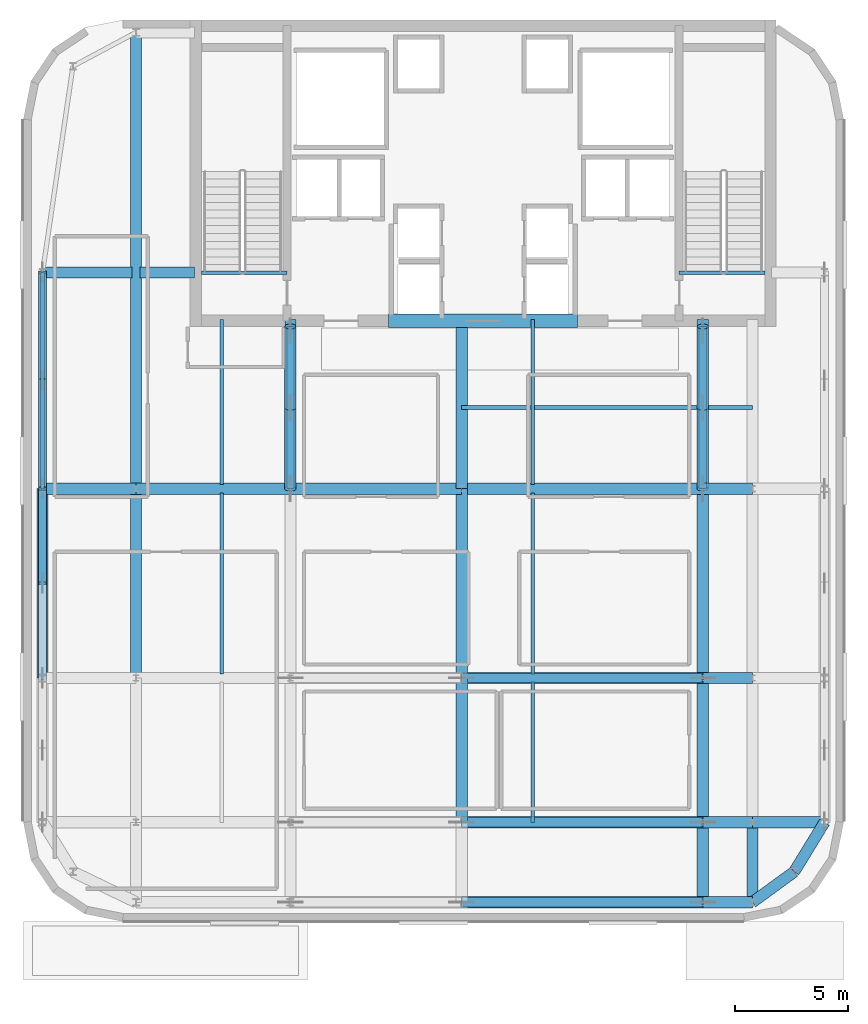
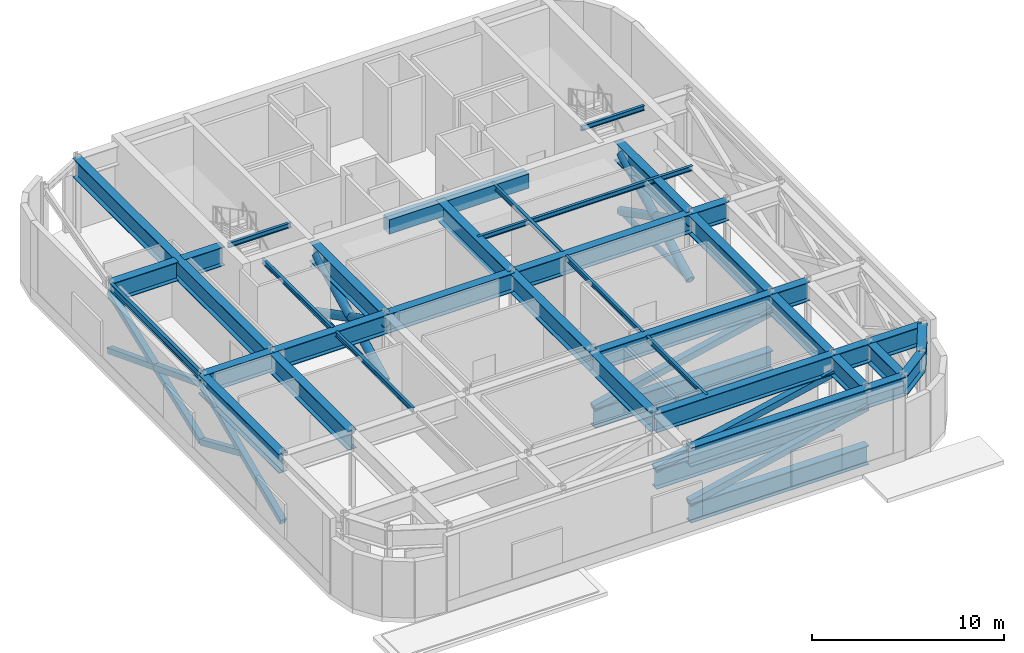
# One storey, part 5 of 13: 39 beams, 16 members.
"""IFC4 building model written with IfcOpenShell, lengths in metres."""

from ifc_helpers import new_model, si_unit, direction, frame, origin, origin_2d, place, context, subcontext, project, spatial, rectangle, hollow_rectangle, hollow_circle, i_section, extrude, source, transform, mapped, material, material_profile, profile_set, type_object, type_shapes, element, save


model = new_model("IFC4")

# Units and contexts
model_context = context("Model", 3, precision=1e-05, world=origin(), true_north=direction((0.0, 1.0)))
body_context = subcontext(model_context, "Body", "Model", "MODEL_VIEW")
ifc_project = project(units=[si_unit("LENGTHUNIT", "METRE"), si_unit("AREAUNIT", "SQUARE_METRE"), si_unit("VOLUMEUNIT", "CUBIC_METRE"), si_unit("PLANEANGLEUNIT", "RADIAN"), si_unit("MASSUNIT", "GRAM", prefix="KILO")], contexts=[model_context])

# Site, building, storey
site_placement = place(None, origin())
site = spatial("IfcSite", under=ifc_project, at=site_placement, CompositionType="ELEMENT")
building_placement = place(site_placement, origin())
building = spatial("IfcBuilding", under=site, at=building_placement, Name="Tolvann Quenvar Hotel", CompositionType="ELEMENT")
storey_placement = place(building_placement, frame((0.0, 0.0, 270.050048828125)))
storey = spatial("IfcBuildingStorey", under=building, at=storey_placement, Name="L72", CompositionType="ELEMENT", Elevation=270.050048828125)

# Beams
ifc_material_1 = material(Name="Concrete N50 (50 MPa)", Category="concrete")
ifc_material_profile_1 = material_profile(ifc_material_1, rectangle(XDim=0.60009765625, YDim=0.89990234375, at=origin_2d()), Name="RC600x900")
ifc_profile_set_1 = profile_set([ifc_material_profile_1], Name="Concrete N50 (50 MPa)")
beam_type_1 = type_object("IfcBeamType", Name="BM_LINT_RC600x900", PredefinedType="LINTEL", material=ifc_profile_set_1)
shared_shape_1 = source(origin(), body_context, "Body", "SweptSolid", [
    extrude(rectangle(XDim=0.60009765625, YDim=0.89990234375, at=origin_2d()), origin(), (0.0, 0.0, 1.0), 8.39990234375),
])
type_shapes(beam_type_1, [shared_shape_1])
beam_1_placement = place(storey_placement, frame((18.800048828125, 31.85009765625, 4.329833984375), z_axis=(1.0, 0.0, 0.0), x_axis=(0.0, 1.0, 0.0)))
element("IfcBeam", 1, at=beam_1_placement, inside=storey, type_object=beam_type_1, Name="Core Coupling Lintel Beam (L72)", PredefinedType="LINTEL", context=body_context, shape_type="MappedRepresentation", body=[
    mapped(shared_shape_1, transform((0.0, 0.0, 0.0), x_axis=(1.0, 0.0, 0.0), y_axis=(0.0, 1.0, 0.0), z_axis=(0.0, 0.0, 1.0), scale=1.0)),
])
ifc_material_2 = material(Name="Steel Grade 350", Category="steel")
ifc_material_profile_2 = material_profile(ifc_material_2, i_section(OverallWidth=0.5, OverallDepth=1.199951171875, WebThickness=0.01611328125, FlangeThickness=0.0400390625, at=origin_2d()), Name="1200WB455")
ifc_profile_set_2 = profile_set([ifc_material_profile_2], Name="Steel Grade 350")
beam_type_2 = type_object("IfcBeamType", Name="BM_TG_1200WB455", PredefinedType="USERDEFINED", material=ifc_profile_set_2)
shared_shape_2 = source(origin(), body_context, "Body", "SweptSolid", [
    extrude(i_section(OverallWidth=0.5, OverallDepth=1.199951171875, WebThickness=0.01611328125, FlangeThickness=0.0400390625, at=origin_2d()), origin(), (0.0, 0.0, 1.0), 7.5),
])
for number, where, z_axis, x_axis, name in (
    (2, (14.449951171875, 24.39990234375, 4.179931640625), (0.0, 1.0, 0.0), (-1.0, 0.0, 0.0), "BM-L72-CORE-D5"),
    (3, (22.050048828125, 24.39990234375, 4.179931640625), (0.0, 1.0, 0.0), (-1.0, 0.0, 0.0), "BM-L72-CORE-E5"),
    (4, (32.75, 24.39990234375, 4.179931640625), (0.0, 1.0, 0.0), (-1.0, 0.0, 0.0), "BM-L72-CORE-FP5"),
):
    element("IfcBeam", number, at=place(storey_placement, frame(where, z_axis=z_axis, x_axis=x_axis)), inside=storey, type_object=beam_type_2, Name=name, ObjectType="TRANSFER GIRDER", PredefinedType="USERDEFINED", context=body_context, shape_type="MappedRepresentation", body=[
        mapped(shared_shape_2, transform((0.0, 0.0, 0.0), x_axis=(1.0, 0.0, 0.0), y_axis=(0.0, 1.0, 0.0), z_axis=(0.0, 0.0, 1.0), scale=1.0)),
    ])
shared_shape_3 = source(origin(), body_context, "Body", "SweptSolid", [
    extrude(i_section(OverallWidth=0.5, OverallDepth=1.199951171875, WebThickness=0.01611328125, FlangeThickness=0.0400390625, at=origin_2d()), origin(), (0.0, 0.0, 1.0), 3.550048828125),
])
beam_2_placement = place(storey_placement, frame((34.949951171875, 6.050048828125, 4.179931640625), z_axis=(0.0, 1.0, 0.0), x_axis=(-1.0, 0.0, 0.0)))
element("IfcBeam", 5, at=beam_2_placement, inside=storey, type_object=beam_type_2, Name="BM-L72-NS-F2-F3", ObjectType="TRANSFER GIRDER", PredefinedType="USERDEFINED", context=body_context, shape_type="MappedRepresentation", body=[
    mapped(shared_shape_3, transform((0.0, 0.0, 0.0), x_axis=(1.0, 0.0, 0.0), y_axis=(0.0, 1.0, 0.0), z_axis=(0.0, 0.0, 1.0), scale=1.0)),
])
shared_shape_4 = source(origin(), body_context, "Body", "SweptSolid", [
    extrude(i_section(OverallWidth=0.5, OverallDepth=1.199951171875, WebThickness=0.01611328125, FlangeThickness=0.0400390625, at=origin_2d()), origin(), (0.0, 0.0, 1.0), 2.199951171875),
])
for number, where, z_axis, x_axis, name in (
    (6, (32.75, 6.050048828125, 4.179931640625), (1.0, 0.0, 0.0), (0.0, 1.0, 0.0), "BM-L72-EW-2-FP2-F2"),
    (7, (32.75, 9.60009765625, 4.179931640625), (1.0, 0.0, 0.0), (0.0, 1.0, 0.0), "BM-L72-EW-3-FP3-F3"),
    (8, (32.75, 16.0, 4.179931640625), (1.0, 0.0, 0.0), (0.0, 1.0, 0.0), "BM-L72-EW-4-FP4-F4"),
    (9, (32.75, 24.39990234375, 4.179931640625), (1.0, 0.0, 0.0), (0.0, 1.0, 0.0), "BM-L72-EW-5-FP5-F5"),
):
    element("IfcBeam", number, at=place(storey_placement, frame(where, z_axis=z_axis, x_axis=x_axis)), inside=storey, type_object=beam_type_2, Name=name, ObjectType="TRANSFER GIRDER", PredefinedType="USERDEFINED", context=body_context, shape_type="MappedRepresentation", body=[
        mapped(shared_shape_4, transform((0.0, 0.0, 0.0), x_axis=(1.0, 0.0, 0.0), y_axis=(0.0, 1.0, 0.0), z_axis=(0.0, 0.0, 1.0), scale=1.0)),
    ])
shared_shape_5 = source(origin(), body_context, "Body", "SweptSolid", [
    extrude(i_section(OverallWidth=0.5, OverallDepth=1.199951171875, WebThickness=0.01611328125, FlangeThickness=0.0400390625, at=origin_2d()), origin(), (0.0, 0.0, 1.0), 2.419921875),
])
beam_3_placement = place(storey_placement, frame((7.780029296875, 34.0, 4.179931640625), z_axis=(1.0, 0.0, 0.0), x_axis=(0.0, 1.0, 0.0)))
element("IfcBeam", 10, at=beam_3_placement, inside=storey, type_object=beam_type_2, Name="BM-L72-CTW-MID2", ObjectType="TRANSFER GIRDER", PredefinedType="USERDEFINED", context=body_context, shape_type="MappedRepresentation", body=[
    mapped(shared_shape_5, transform((0.0, 0.0, 0.0), x_axis=(1.0, 0.0, 0.0), y_axis=(0.0, 1.0, 0.0), z_axis=(0.0, 0.0, 1.0), scale=1.0)),
])
ifc_material_profile_3 = material_profile(ifc_material_2, i_section(OverallWidth=0.166015625, OverallDepth=0.306884765625, WebThickness=0.006591796875, FlangeThickness=0.01171875, FilletRadius=0.011474609375, at=origin_2d()), Name="310UB46")
ifc_profile_set_3 = profile_set([ifc_material_profile_3], Name="Steel Grade 350")
beam_type_3 = type_object("IfcBeamType", Name="BM_JOIST_310UB46", PredefinedType="JOIST", material=ifc_profile_set_3)
shared_shape_6 = source(origin(), body_context, "Body", "SweptSolid", [
    extrude(i_section(OverallWidth=0.166015625, OverallDepth=0.306884765625, WebThickness=0.006591796875, FlangeThickness=0.01171875, FilletRadius=0.011474609375, at=origin_2d()), origin(), (0.0, 0.0, 1.0), 3.800048828125),
])
for number, where, z_axis, x_axis, name in (
    (11, (10.5, 33.97998046875, 4.62646484375), (1.0, 0.0, 0.0), (0.0, 1.0, 0.0), "BM-HDR-STC1-L73"),
    (12, (31.699951171875, 33.97998046875, 4.62646484375), (1.0, 0.0, 0.0), (0.0, 1.0, 0.0), "BM-HDR-STC2-L73"),
):
    element("IfcBeam", number, at=place(storey_placement, frame(where, z_axis=z_axis, x_axis=x_axis)), inside=storey, type_object=beam_type_3, Name=name, PredefinedType="JOIST", context=body_context, shape_type="MappedRepresentation", body=[
        mapped(shared_shape_6, transform((0.0, 0.0, 0.0), x_axis=(1.0, 0.0, 0.0), y_axis=(0.0, 1.0, 0.0), z_axis=(0.0, 0.0, 1.0), scale=1.0)),
    ])
shared_shape_7 = source(origin(), body_context, "Body", "SweptSolid", [
    extrude(i_section(OverallWidth=0.5, OverallDepth=1.199951171875, WebThickness=0.01611328125, FlangeThickness=0.0400390625, at=origin_2d()), origin(), (0.0, 0.0, 1.0), 4.150146484375),
])
beam_4_placement = place(storey_placement, frame((3.449951171875, 24.39990234375, 4.179931640625), z_axis=(1.0, 0.0, 0.0), x_axis=(0.0, 1.0, 0.0)))
element("IfcBeam", 13, at=beam_4_placement, inside=storey, type_object=beam_type_2, Name="BM-L72-EW-5-B5-C5", ObjectType="TRANSFER GIRDER", PredefinedType="USERDEFINED", context=body_context, shape_type="MappedRepresentation", body=[
    mapped(shared_shape_7, transform((0.0, 0.0, 0.0), x_axis=(1.0, 0.0, 0.0), y_axis=(0.0, 1.0, 0.0), z_axis=(0.0, 0.0, 1.0), scale=1.0)),
])
shared_shape_8 = source(origin(), body_context, "Body", "SweptSolid", [
    extrude(i_section(OverallWidth=0.5, OverallDepth=1.199951171875, WebThickness=0.01611328125, FlangeThickness=0.0400390625, at=origin_2d()), origin(), (0.0, 0.0, 1.0), 8.39990234375),
])
for number, where, z_axis, x_axis, name in (
    (14, (3.449951171875, 16.0, 4.179931640625), (0.0, 1.0, 0.0), (-1.0, 0.0, 0.0), "BM-L72-NS-B4-B5"),
    (15, (7.60009765625, 16.0, 4.179931640625), (0.0, 1.0, 0.0), (-1.0, 0.0, 0.0), "BM-L72-NS-C4-C5"),
    (16, (22.050048828125, 16.0, 4.179931640625), (0.0, 1.0, 0.0), (-1.0, 0.0, 0.0), "BM-L72-NS-E4-E5"),
):
    element("IfcBeam", number, at=place(storey_placement, frame(where, z_axis=z_axis, x_axis=x_axis)), inside=storey, type_object=beam_type_2, Name=name, ObjectType="TRANSFER GIRDER", PredefinedType="USERDEFINED", context=body_context, shape_type="MappedRepresentation", body=[
        mapped(shared_shape_8, transform((0.0, 0.0, 0.0), x_axis=(1.0, 0.0, 0.0), y_axis=(0.0, 1.0, 0.0), z_axis=(0.0, 0.0, 1.0), scale=1.0)),
    ])
shared_shape_9 = source(origin(), body_context, "Body", "SweptSolid", [
    extrude(i_section(OverallWidth=0.5, OverallDepth=1.199951171875, WebThickness=0.01611328125, FlangeThickness=0.0400390625, at=origin_2d()), origin(), (0.0, 0.0, 1.0), 3.969970703125),
])
beam_5_placement = place(storey_placement, frame((3.449951171875, 34.0, 4.179931640625), z_axis=(1.0, 0.0, 0.0), x_axis=(0.0, 1.0, 0.0)))
element("IfcBeam", 17, at=beam_5_placement, inside=storey, type_object=beam_type_2, Name="BM-L72-CTW-MID1", ObjectType="TRANSFER GIRDER", PredefinedType="USERDEFINED", context=body_context, shape_type="MappedRepresentation", body=[
    mapped(shared_shape_9, transform((0.0, 0.0, 0.0), x_axis=(1.0, 0.0, 0.0), y_axis=(0.0, 1.0, 0.0), z_axis=(0.0, 0.0, 1.0), scale=1.0)),
])

# Members
ifc_material_3 = material(Name="Steel Grade 450 (C450L0)", Category="steel")
ifc_material_profile_4 = material_profile(ifc_material_3, hollow_circle(Radius=0.161865234375, WallThickness=0.010009765625, at=origin_2d()), Name="323.9x10CHS")
ifc_profile_set_4 = profile_set([ifc_material_profile_4], Name="Steel Grade 450 (C450L0)")
member_type_1 = type_object("IfcMemberType", Name="MEM_CHORD_324CHS", PredefinedType="CHORD", material=ifc_profile_set_4)
shared_shape_10 = source(origin(), body_context, "Body", "SweptSolid", [
    extrude(hollow_circle(Radius=0.161865234375, WallThickness=0.010009765625, at=origin_2d()), origin(), (0.0, 0.0, 1.0), 7.2001953125),
])
type_shapes(member_type_1, [shared_shape_10])
for number, where, z_axis, x_axis, name in (
    (18, (14.449951171875, 24.39990234375, 0.449951171875), (0.0, 1.0, 0.0), (-1.0, 0.0, 0.0), "Outrigger Bottom Chord L72-1"),
    (19, (32.75, 24.39990234375, 0.449951171875), (0.0, 1.0, 0.0), (-1.0, 0.0, 0.0), "Outrigger Bottom Chord L72-2"),
):
    element("IfcMember", number, at=place(storey_placement, frame(where, z_axis=z_axis, x_axis=x_axis)), inside=storey, type_object=member_type_1, Name=name, PredefinedType="CHORD", context=body_context, shape_type="MappedRepresentation", body=[
        mapped(shared_shape_10, transform((0.0, 0.0, 0.0), x_axis=(1.0, 0.0, 0.0), y_axis=(0.0, 1.0, 0.0), z_axis=(0.0, 0.0, 1.0), scale=1.0)),
    ])

# Beams
ifc_material_profile_5 = material_profile(ifc_material_2, i_section(OverallWidth=0.19091796875, OverallDepth=0.4599609375, WebThickness=0.010009765625, FlangeThickness=0.01611328125, FilletRadius=0.011474609375, at=origin_2d()), Name="460UB82")
ifc_profile_set_5 = profile_set([ifc_material_profile_5], Name="Steel Grade 350")
beam_type_4 = type_object("IfcBeamType", Name="BM_SPAND_460UB82", PredefinedType="SPANDREL", material=ifc_profile_set_5)
shared_shape_11 = source(origin(), body_context, "Body", "SweptSolid", [
    extrude(i_section(OverallWidth=0.19091796875, OverallDepth=0.4599609375, WebThickness=0.010009765625, FlangeThickness=0.01611328125, FilletRadius=0.011474609375, at=origin_2d()), origin(), (0.0, 0.0, 1.0), 9.60009765625),
])
type_shapes(beam_type_4, [shared_shape_11])
beam_6_placement = place(storey_placement, frame((3.449951171875, 24.39990234375, 4.550048828125), z_axis=(0.0, 1.0, 0.0), x_axis=(-1.0, 0.0, 0.0)))
element("IfcBeam", 20, at=beam_6_placement, inside=storey, type_object=beam_type_4, Name="BM-L72-FLK-W1", PredefinedType="SPANDREL", context=body_context, shape_type="MappedRepresentation", body=[
    mapped(shared_shape_11, transform((0.0, 0.0, 0.0), x_axis=(1.0, 0.0, 0.0), y_axis=(0.0, 1.0, 0.0), z_axis=(0.0, 0.0, 1.0), scale=1.0)),
])
shared_shape_12 = source(origin(), body_context, "Body", "SweptSolid", [
    extrude(i_section(OverallWidth=0.5, OverallDepth=1.199951171875, WebThickness=0.01611328125, FlangeThickness=0.0400390625, at=origin_2d()), origin(), (0.0, 0.0, 1.0), 6.849853515625),
])
beam_7_placement = place(storey_placement, frame((7.60009765625, 24.39990234375, 4.179931640625), z_axis=(1.0, 0.0, 0.0), x_axis=(0.0, 1.0, 0.0)))
element("IfcBeam", 21, at=beam_7_placement, inside=storey, type_object=beam_type_2, Name="BM-L72-EW-5-C5-D5", ObjectType="TRANSFER GIRDER", PredefinedType="USERDEFINED", context=body_context, shape_type="MappedRepresentation", body=[
    mapped(shared_shape_12, transform((0.0, 0.0, 0.0), x_axis=(1.0, 0.0, 0.0), y_axis=(0.0, 1.0, 0.0), z_axis=(0.0, 0.0, 1.0), scale=1.0)),
])
shared_shape_13 = source(origin(), body_context, "Body", "SweptSolid", [
    extrude(i_section(OverallWidth=0.5, OverallDepth=1.199951171875, WebThickness=0.01611328125, FlangeThickness=0.0400390625, at=origin_2d()), origin(), (0.0, 0.0, 1.0), 2.290283203125),
])
beam_8_placement = place(storey_placement, frame((34.949951171875, 6.050048828125, 4.179931640625), z_axis=(0.80783621865, 0.589407027305, 0.0), x_axis=(-0.589407027305, 0.80783621865, 0.0)))
element("IfcBeam", 22, at=beam_8_placement, inside=storey, type_object=beam_type_2, Name="BM-L72-EW-2-F2-G2", ObjectType="TRANSFER GIRDER", PredefinedType="USERDEFINED", context=body_context, shape_type="MappedRepresentation", body=[
    mapped(shared_shape_13, transform((0.0, 0.0, 0.0), x_axis=(1.0, 0.0, 0.0), y_axis=(0.0, 1.0, 0.0), z_axis=(0.0, 0.0, 1.0), scale=1.0)),
])
shared_shape_14 = source(origin(), body_context, "Body", "SweptSolid", [
    extrude(i_section(OverallWidth=0.5, OverallDepth=1.199951171875, WebThickness=0.01611328125, FlangeThickness=0.0400390625, at=origin_2d()), origin(), (0.0, 0.0, 1.0), 3.199951171875),
])
beam_9_placement = place(storey_placement, frame((34.949951171875, 9.60009765625, 4.179931640625), z_axis=(1.0, 0.0, 0.0), x_axis=(0.0, 1.0, 0.0)))
element("IfcBeam", 23, at=beam_9_placement, inside=storey, type_object=beam_type_2, Name="BM-L72-EW-3-F3-G3", ObjectType="TRANSFER GIRDER", PredefinedType="USERDEFINED", context=body_context, shape_type="MappedRepresentation", body=[
    mapped(shared_shape_14, transform((0.0, 0.0, 0.0), x_axis=(1.0, 0.0, 0.0), y_axis=(0.0, 1.0, 0.0), z_axis=(0.0, 0.0, 1.0), scale=1.0)),
])
shared_shape_15 = source(origin(), body_context, "Body", "SweptSolid", [
    extrude(i_section(OverallWidth=0.5, OverallDepth=1.199951171875, WebThickness=0.01611328125, FlangeThickness=0.0400390625, at=origin_2d()), origin(), (0.0, 0.0, 1.0), 7.60009765625),
])
beam_10_placement = place(storey_placement, frame((14.449951171875, 24.39990234375, 4.179931640625), z_axis=(1.0, 0.0, 0.0), x_axis=(0.0, 1.0, 0.0)))
element("IfcBeam", 24, at=beam_10_placement, inside=storey, type_object=beam_type_2, Name="BM-L72-EW-5-D5-E5", ObjectType="TRANSFER GIRDER", PredefinedType="USERDEFINED", context=body_context, shape_type="MappedRepresentation", body=[
    mapped(shared_shape_15, transform((0.0, 0.0, 0.0), x_axis=(1.0, 0.0, 0.0), y_axis=(0.0, 1.0, 0.0), z_axis=(0.0, 0.0, 1.0), scale=1.0)),
])
shared_shape_16 = source(origin(), body_context, "Body", "SweptSolid", [
    extrude(i_section(OverallWidth=0.5, OverallDepth=1.199951171875, WebThickness=0.01611328125, FlangeThickness=0.0400390625, at=origin_2d()), origin(), (0.0, 0.0, 1.0), 20.25),
])
beam_11_placement = place(storey_placement, frame((7.60009765625, 24.39990234375, 4.179931640625), z_axis=(0.0, 1.0, 0.0), x_axis=(-1.0, 0.0, 0.0)))
element("IfcBeam", 25, at=beam_11_placement, inside=storey, type_object=beam_type_2, Name="BM-L72-FLK-WC", ObjectType="TRANSFER GIRDER", PredefinedType="USERDEFINED", context=body_context, shape_type="MappedRepresentation", body=[
    mapped(shared_shape_16, transform((0.0, 0.0, 0.0), x_axis=(1.0, 0.0, 0.0), y_axis=(0.0, 1.0, 0.0), z_axis=(0.0, 0.0, 1.0), scale=1.0)),
])
shared_shape_17 = source(origin(), body_context, "Body", "SweptSolid", [
    extrude(i_section(OverallWidth=0.166015625, OverallDepth=0.306884765625, WebThickness=0.006591796875, FlangeThickness=0.01171875, FilletRadius=0.011474609375, at=origin_2d()), origin(), (0.0, 0.0, 1.0), 12.89990234375),
])
beam_12_placement = place(storey_placement, frame((22.050048828125, 28.0, 4.62646484375), z_axis=(1.0, 0.0, 0.0), x_axis=(0.0, 1.0, 0.0)))
element("IfcBeam", 26, at=beam_12_placement, inside=storey, type_object=beam_type_3, Name="BM-L72-SPINE-28", PredefinedType="JOIST", context=body_context, shape_type="MappedRepresentation", body=[
    mapped(shared_shape_17, transform((0.0, 0.0, 0.0), x_axis=(1.0, 0.0, 0.0), y_axis=(0.0, 1.0, 0.0), z_axis=(0.0, 0.0, 1.0), scale=1.0)),
])
shared_shape_18 = source(origin(), body_context, "Body", "SweptSolid", [
    extrude(i_section(OverallWidth=0.166015625, OverallDepth=0.306884765625, WebThickness=0.006591796875, FlangeThickness=0.01171875, FilletRadius=0.011474609375, at=origin_2d()), origin(), (0.0, 0.0, 1.0), 8.030029296875),
])
for number, where, z_axis, x_axis, name in (
    (27, (11.39990234375, 16.18505859375, 4.62646484375), (0.0, 1.0, 0.0), (-1.0, 0.0, 0.0), "BJ-L72-114-160"),
    (28, (25.199951171875, 16.18505859375, 4.62646484375), (0.0, 1.0, 0.0), (-1.0, 0.0, 0.0), "BJ-L72-252-160"),
):
    element("IfcBeam", number, at=place(storey_placement, frame(where, z_axis=z_axis, x_axis=x_axis)), inside=storey, type_object=beam_type_3, Name=name, PredefinedType="JOIST", context=body_context, shape_type="MappedRepresentation", body=[
        mapped(shared_shape_18, transform((0.0, 0.0, 0.0), x_axis=(1.0, 0.0, 0.0), y_axis=(0.0, 1.0, 0.0), z_axis=(0.0, 0.0, 1.0), scale=1.0)),
    ])
shared_shape_19 = source(origin(), body_context, "Body", "SweptSolid", [
    extrude(i_section(OverallWidth=0.166015625, OverallDepth=0.306884765625, WebThickness=0.006591796875, FlangeThickness=0.01171875, FilletRadius=0.011474609375, at=origin_2d()), origin(), (0.0, 0.0, 1.0), 7.31494140625),
])
for number, where, z_axis, x_axis, name in (
    (29, (11.39990234375, 24.5849609375, 4.62646484375), (0.0, 1.0, 0.0), (-1.0, 0.0, 0.0), "BJ-L72-114-244"),
    (30, (25.199951171875, 24.5849609375, 4.62646484375), (0.0, 1.0, 0.0), (-1.0, 0.0, 0.0), "BJ-L72-252-244"),
):
    element("IfcBeam", number, at=place(storey_placement, frame(where, z_axis=z_axis, x_axis=x_axis)), inside=storey, type_object=beam_type_3, Name=name, PredefinedType="JOIST", context=body_context, shape_type="MappedRepresentation", body=[
        mapped(shared_shape_19, transform((0.0, 0.0, 0.0), x_axis=(1.0, 0.0, 0.0), y_axis=(0.0, 1.0, 0.0), z_axis=(0.0, 0.0, 1.0), scale=1.0)),
    ])
shared_shape_20 = source(origin(), body_context, "Body", "SweptSolid", [
    extrude(i_section(OverallWidth=0.5, OverallDepth=1.199951171875, WebThickness=0.01611328125, FlangeThickness=0.0400390625, at=origin_2d()), origin(), (0.0, 0.0, 1.0), 10.699951171875),
])
for number, where, z_axis, x_axis, name in (
    (31, (22.050048828125, 6.050048828125, 4.179931640625), (1.0, 0.0, 0.0), (0.0, 1.0, 0.0), "Wind Portal Vierendeel Top Chord 2-1"),
    (32, (22.050048828125, 6.050048828125, 0.599853515625), (1.0, 0.0, 0.0), (0.0, 1.0, 0.0), "Wind Portal Vierendeel Bottom Chord 2-1"),
    (33, (22.050048828125, 9.60009765625, 4.179931640625), (1.0, 0.0, 0.0), (0.0, 1.0, 0.0), "Wind Portal Vierendeel Top Chord 3-1"),
    (34, (22.050048828125, 9.60009765625, 0.599853515625), (1.0, 0.0, 0.0), (0.0, 1.0, 0.0), "Wind Portal Vierendeel Bottom Chord 3-1"),
    (35, (22.050048828125, 16.0, 4.179931640625), (1.0, 0.0, 0.0), (0.0, 1.0, 0.0), "Wind Portal Vierendeel Top Chord 4-1"),
    (36, (22.050048828125, 16.0, 0.599853515625), (1.0, 0.0, 0.0), (0.0, 1.0, 0.0), "Wind Portal Vierendeel Bottom Chord 4-1"),
    (37, (22.050048828125, 24.39990234375, 4.179931640625), (1.0, 0.0, 0.0), (0.0, 1.0, 0.0), "BM-L72-EW-5-E5-FP5"),
):
    element("IfcBeam", number, at=place(storey_placement, frame(where, z_axis=z_axis, x_axis=x_axis)), inside=storey, type_object=beam_type_2, Name=name, ObjectType="TRANSFER GIRDER", PredefinedType="USERDEFINED", context=body_context, shape_type="MappedRepresentation", body=[
        mapped(shared_shape_20, transform((0.0, 0.0, 0.0), x_axis=(1.0, 0.0, 0.0), y_axis=(0.0, 1.0, 0.0), z_axis=(0.0, 0.0, 1.0), scale=1.0)),
    ])
shared_shape_21 = source(origin(), body_context, "Body", "SweptSolid", [
    extrude(i_section(OverallWidth=0.5, OverallDepth=1.199951171875, WebThickness=0.01611328125, FlangeThickness=0.0400390625, at=origin_2d()), origin(), (0.0, 0.0, 1.0), 18.349853515625),
])
beam_13_placement = place(storey_placement, frame((32.75, 6.050048828125, 4.179931640625), z_axis=(0.0, 1.0, 0.0), x_axis=(-1.0, 0.0, 0.0)))
element("IfcBeam", 38, at=beam_13_placement, inside=storey, type_object=beam_type_2, Name="TG-L72-TIE-FP", ObjectType="TRANSFER GIRDER", PredefinedType="USERDEFINED", context=body_context, shape_type="MappedRepresentation", body=[
    mapped(shared_shape_21, transform((0.0, 0.0, 0.0), x_axis=(1.0, 0.0, 0.0), y_axis=(0.0, 1.0, 0.0), z_axis=(0.0, 0.0, 1.0), scale=1.0)),
])

# Members
ifc_material_profile_6 = material_profile(ifc_material_3, hollow_rectangle(XDim=0.39990234375, YDim=0.39990234375, WallThickness=0.01611328125, at=origin_2d()), Name="400x400x16SHS")
ifc_profile_set_6 = profile_set([ifc_material_profile_6], Name="Steel Grade 450 (C450L0)")
member_type_2 = type_object("IfcMemberType", Name="MEM_OUT_400SHS", PredefinedType="BRACE", material=ifc_profile_set_6)
shared_shape_22 = source(origin(), body_context, "Body", "SweptSolid", [
    extrude(hollow_rectangle(XDim=0.39990234375, YDim=0.39990234375, WallThickness=0.01611328125, at=origin_2d()), origin(), (0.0, 0.0, 1.0), 10.96142578125),
])
type_shapes(member_type_2, [shared_shape_22])
for number, where, z_axis, x_axis, name in (
    (39, (22.050048828125, 6.050048828125, 1.199951171875), (0.976146165875, 0.0, 0.217114400369), (0.0, 1.0, 0.0), "Wind Portal Truss Diagonal 2-1"),
    (40, (22.050048828125, 9.60009765625, 1.199951171875), (0.976146165875, 0.0, 0.217114400369), (0.0, 1.0, 0.0), "Wind Portal Truss Diagonal 3-1"),
    (41, (22.050048828125, 16.0, 1.199951171875), (0.976146165875, 0.0, 0.217114400369), (0.0, 1.0, 0.0), "Wind Portal Truss Diagonal 4-1"),
):
    element("IfcMember", number, at=place(storey_placement, frame(where, z_axis=z_axis, x_axis=x_axis)), inside=storey, type_object=member_type_2, Name=name, PredefinedType="BRACE", context=body_context, shape_type="MappedRepresentation", body=[
        mapped(shared_shape_22, transform((0.0, 0.0, 0.0), x_axis=(1.0, 0.0, 0.0), y_axis=(0.0, 1.0, 0.0), z_axis=(0.0, 0.0, 1.0), scale=1.0)),
    ])

# Beams
shared_shape_23 = source(origin(), body_context, "Body", "SweptSolid", [
    extrude(i_section(OverallWidth=0.5, OverallDepth=1.199951171875, WebThickness=0.01611328125, FlangeThickness=0.0400390625, at=origin_2d()), origin(), (0.0, 0.0, 1.0), 2.581298828125),
])
beam_14_placement = place(storey_placement, frame((36.800048828125, 7.39990234375, 4.179931640625), z_axis=(0.522941262414, 0.852368720722, 0.0), x_axis=(-0.852368720722, 0.522941262414, 0.0)))
element("IfcBeam", 42, at=beam_14_placement, inside=storey, type_object=beam_type_2, Name="BM-L72-NS-G2-G3", ObjectType="TRANSFER GIRDER", PredefinedType="USERDEFINED", context=body_context, shape_type="MappedRepresentation", body=[
    mapped(shared_shape_23, transform((0.0, 0.0, 0.0), x_axis=(1.0, 0.0, 0.0), y_axis=(0.0, 1.0, 0.0), z_axis=(0.0, 0.0, 1.0), scale=1.0)),
])
shared_shape_24 = source(origin(), body_context, "Body", "SweptSolid", [
    extrude(i_section(OverallWidth=0.5, OverallDepth=1.199951171875, WebThickness=0.01611328125, FlangeThickness=0.0400390625, at=origin_2d()), origin(), (0.0, 0.0, 1.0), 6.39990234375),
])
type_shapes(beam_type_2, [shared_shape_2, shared_shape_3, shared_shape_4, shared_shape_5, shared_shape_7, shared_shape_8, shared_shape_9, shared_shape_12, shared_shape_13, shared_shape_14, shared_shape_15, shared_shape_16, shared_shape_20, shared_shape_21, shared_shape_23, shared_shape_24])
beam_15_placement = place(storey_placement, frame((22.050048828125, 9.60009765625, 4.179931640625), z_axis=(0.0, 1.0, 0.0), x_axis=(-1.0, 0.0, 0.0)))
element("IfcBeam", 43, at=beam_15_placement, inside=storey, type_object=beam_type_2, Name="BM-L72-NS-E3-E4", ObjectType="TRANSFER GIRDER", PredefinedType="USERDEFINED", context=body_context, shape_type="MappedRepresentation", body=[
    mapped(shared_shape_24, transform((0.0, 0.0, 0.0), x_axis=(1.0, 0.0, 0.0), y_axis=(0.0, 1.0, 0.0), z_axis=(0.0, 0.0, 1.0), scale=1.0)),
])
shared_shape_25 = source(origin(), body_context, "Body", "SweptSolid", [
    extrude(i_section(OverallWidth=0.166015625, OverallDepth=0.306884765625, WebThickness=0.006591796875, FlangeThickness=0.01171875, FilletRadius=0.011474609375, at=origin_2d()), origin(), (0.0, 0.0, 1.0), 6.21484375),
])
type_shapes(beam_type_3, [shared_shape_6, shared_shape_17, shared_shape_18, shared_shape_19, shared_shape_25])
beam_16_placement = place(storey_placement, frame((25.199951171875, 9.60009765625, 4.62646484375), z_axis=(0.0, 1.0, 0.0), x_axis=(-1.0, 0.0, 0.0)))
element("IfcBeam", 44, at=beam_16_placement, inside=storey, type_object=beam_type_3, Name="BJ-L72-252-96", PredefinedType="JOIST", context=body_context, shape_type="MappedRepresentation", body=[
    mapped(shared_shape_25, transform((0.0, 0.0, 0.0), x_axis=(1.0, 0.0, 0.0), y_axis=(0.0, 1.0, 0.0), z_axis=(0.0, 0.0, 1.0), scale=1.0)),
])

# Members
ifc_material_profile_7 = material_profile(ifc_material_3, hollow_circle(Radius=0.25390625, WallThickness=0.01611328125, at=origin_2d()), Name="508x16CHS")
ifc_profile_set_7 = profile_set([ifc_material_profile_7], Name="Steel Grade 450 (C450L0)")
member_type_3 = type_object("IfcMemberType", Name="MEM_DIAG_508CHS", PredefinedType="BRACE", material=ifc_profile_set_7)
shared_shape_26 = source(origin(), body_context, "Body", "SweptSolid", [
    extrude(hollow_circle(Radius=0.25390625, WallThickness=0.01611328125, at=origin_2d()), origin(), (0.0, 0.0, 1.0), 8.086181640625),
])
for number, where, z_axis, x_axis, name in (
    (45, (14.449951171875, 31.60009765625, 0.449951171875), (0.0, -0.890443110937, 0.455094568397), (1.0, 0.0, 0.0), "Outrigger Truss Primary Diagonal L72-1A"),
    (46, (32.75, 31.60009765625, 0.449951171875), (0.0, -0.890443110937, 0.455094568397), (1.0, 0.0, 0.0), "Outrigger Truss Primary Diagonal L72-2A"),
):
    element("IfcMember", number, at=place(storey_placement, frame(where, z_axis=z_axis, x_axis=x_axis)), inside=storey, type_object=member_type_3, Name=name, PredefinedType="BRACE", context=body_context, shape_type="MappedRepresentation", body=[
        mapped(shared_shape_26, transform((0.0, 0.0, 0.0), x_axis=(1.0, 0.0, 0.0), y_axis=(0.0, 1.0, 0.0), z_axis=(0.0, 0.0, 1.0), scale=1.0)),
    ])
shared_shape_27 = source(origin(), body_context, "Body", "SweptSolid", [
    extrude(hollow_circle(Radius=0.25390625, WallThickness=0.01611328125, at=origin_2d()), origin(), (0.0, 0.0, 1.0), 4.043212890625),
])
for number, where, z_axis, x_axis, name in (
    (47, (14.449951171875, 24.39990234375, 0.449951171875), (0.0, 0.89043087562, 0.455118507361), (-1.0, 0.0, 0.0), "Outrigger Truss Split Diagonal Lower L72-1B1"),
    (48, (32.75, 24.39990234375, 0.449951171875), (0.0, 0.89043087562, 0.455118507361), (-1.0, 0.0, 0.0), "Outrigger Truss Split Diagonal Lower L72-2B1"),
):
    element("IfcMember", number, at=place(storey_placement, frame(where, z_axis=z_axis, x_axis=x_axis)), inside=storey, type_object=member_type_3, Name=name, PredefinedType="BRACE", context=body_context, shape_type="MappedRepresentation", body=[
        mapped(shared_shape_27, transform((0.0, 0.0, 0.0), x_axis=(1.0, 0.0, 0.0), y_axis=(0.0, 1.0, 0.0), z_axis=(0.0, 0.0, 1.0), scale=1.0)),
    ])
shared_shape_28 = source(origin(), body_context, "Body", "SweptSolid", [
    extrude(hollow_circle(Radius=0.25390625, WallThickness=0.01611328125, at=origin_2d()), origin(), (0.0, 0.0, 1.0), 4.04296875),
])
type_shapes(member_type_3, [shared_shape_26, shared_shape_27, shared_shape_28])
for number, where, z_axis, x_axis, name in (
    (49, (14.449951171875, 28.0, 2.2900390625), (0.0, 0.890455345947, 0.455070628446), (-1.0, 0.0, 0.0), "Outrigger Truss Split Diagonal Upper L72-1B2"),
    (50, (32.75, 28.0, 2.2900390625), (0.0, 0.890455345947, 0.455070628446), (-1.0, 0.0, 0.0), "Outrigger Truss Split Diagonal Upper L72-2B2"),
):
    element("IfcMember", number, at=place(storey_placement, frame(where, z_axis=z_axis, x_axis=x_axis)), inside=storey, type_object=member_type_3, Name=name, PredefinedType="BRACE", context=body_context, shape_type="MappedRepresentation", body=[
        mapped(shared_shape_28, transform((0.0, 0.0, 0.0), x_axis=(1.0, 0.0, 0.0), y_axis=(0.0, 1.0, 0.0), z_axis=(0.0, 0.0, 1.0), scale=1.0)),
    ])
ifc_material_profile_8 = material_profile(ifc_material_3, hollow_rectangle(XDim=0.35009765625, YDim=0.35009765625, WallThickness=0.01611328125, at=origin_2d()), Name="350x350x16SHS")
ifc_profile_set_8 = profile_set([ifc_material_profile_8], Name="Steel Grade 450 (C450L0)")
member_type_4 = type_object("IfcMemberType", Name="MEM_BELT_350SHS", PredefinedType="BRACE", material=ifc_profile_set_8)
shared_shape_29 = source(origin(), body_context, "Body", "SweptSolid", [
    extrude(hollow_rectangle(XDim=0.35009765625, YDim=0.35009765625, WallThickness=0.01611328125, at=origin_2d()), origin(), (0.0, 0.0, 1.0), 9.170654296875),
])
member_1_placement = place(storey_placement, frame((3.449951171875, 16.0, 0.449951171875), z_axis=(0.0, 0.915958036519, 0.401274065118), x_axis=(-1.0, 0.0, 0.0)))
element("IfcMember", 51, at=member_1_placement, inside=storey, type_object=member_type_4, Name="Belt Truss Primary Brace L72-W2A", PredefinedType="BRACE", context=body_context, shape_type="MappedRepresentation", body=[
    mapped(shared_shape_29, transform((0.0, 0.0, 0.0), x_axis=(1.0, 0.0, 0.0), y_axis=(0.0, 1.0, 0.0), z_axis=(0.0, 0.0, 1.0), scale=1.0)),
])
shared_shape_30 = source(origin(), body_context, "Body", "SweptSolid", [
    extrude(hollow_rectangle(XDim=0.35009765625, YDim=0.35009765625, WallThickness=0.01611328125, at=origin_2d()), origin(), (0.0, 0.0, 1.0), 4.58544921875),
])
member_2_placement = place(storey_placement, frame((3.449951171875, 24.39990234375, 0.449951171875), z_axis=(0.0, -0.915948251414, 0.401296400099), x_axis=(1.0, 0.0, 0.0)))
element("IfcMember", 52, at=member_2_placement, inside=storey, type_object=member_type_4, Name="Belt Truss Split Brace Lower L72-W2B1", PredefinedType="BRACE", context=body_context, shape_type="MappedRepresentation", body=[
    mapped(shared_shape_30, transform((0.0, 0.0, 0.0), x_axis=(1.0, 0.0, 0.0), y_axis=(0.0, 1.0, 0.0), z_axis=(0.0, 0.0, 1.0), scale=1.0)),
])
shared_shape_31 = source(origin(), body_context, "Body", "SweptSolid", [
    extrude(hollow_rectangle(XDim=0.35009765625, YDim=0.35009765625, WallThickness=0.01611328125, at=origin_2d()), origin(), (0.0, 0.0, 1.0), 10.28125),
])
member_3_placement = place(storey_placement, frame((3.449951171875, 24.39990234375, 0.449951171875), z_axis=(0.0, 0.933749556409, 0.35792703992), x_axis=(-1.0, 0.0, 0.0)))
element("IfcMember", 53, at=member_3_placement, inside=storey, type_object=member_type_4, Name="Belt Truss Primary Brace L72-W3A", PredefinedType="BRACE", context=body_context, shape_type="MappedRepresentation", body=[
    mapped(shared_shape_31, transform((0.0, 0.0, 0.0), x_axis=(1.0, 0.0, 0.0), y_axis=(0.0, 1.0, 0.0), z_axis=(0.0, 0.0, 1.0), scale=1.0)),
])
shared_shape_32 = source(origin(), body_context, "Body", "SweptSolid", [
    extrude(hollow_rectangle(XDim=0.35009765625, YDim=0.35009765625, WallThickness=0.01611328125, at=origin_2d()), origin(), (0.0, 0.0, 1.0), 5.140625),
])
type_shapes(member_type_4, [shared_shape_29, shared_shape_30, shared_shape_31, shared_shape_32])
for number, where, z_axis, x_axis, name in (
    (54, (3.449951171875, 34.0, 0.449951171875), (0.0, -0.933741619917, 0.357947743722), (1.0, 0.0, 0.0), "Belt Truss Split Brace Lower L72-W3B1"),
    (55, (3.449951171875, 29.199951171875, 2.2900390625), (0.0, -0.933757492577, 0.357906335591), (1.0, 0.0, 0.0), "Belt Truss Split Brace Upper L72-W3B2"),
):
    element("IfcMember", number, at=place(storey_placement, frame(where, z_axis=z_axis, x_axis=x_axis)), inside=storey, type_object=member_type_4, Name=name, PredefinedType="BRACE", context=body_context, shape_type="MappedRepresentation", body=[
        mapped(shared_shape_32, transform((0.0, 0.0, 0.0), x_axis=(1.0, 0.0, 0.0), y_axis=(0.0, 1.0, 0.0), z_axis=(0.0, 0.0, 1.0), scale=1.0)),
    ])

save(model, "model.ifc")
